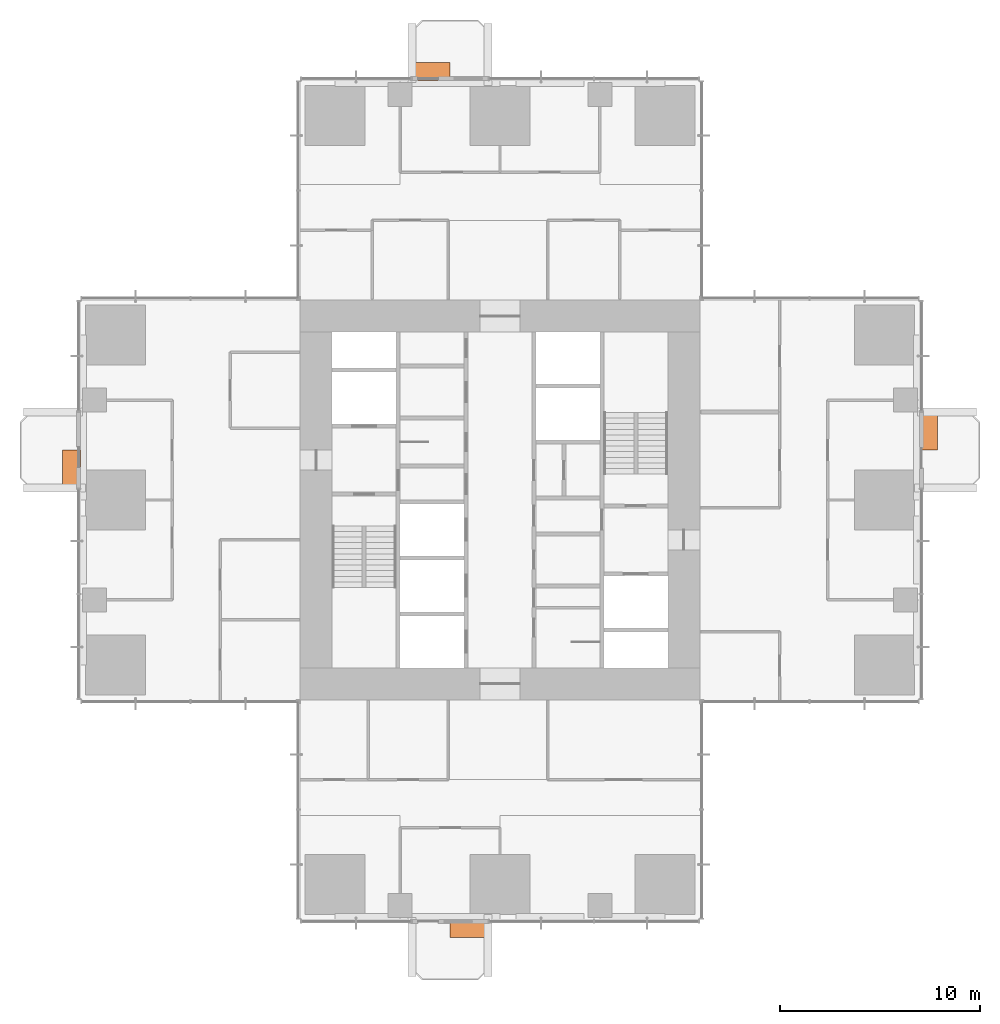
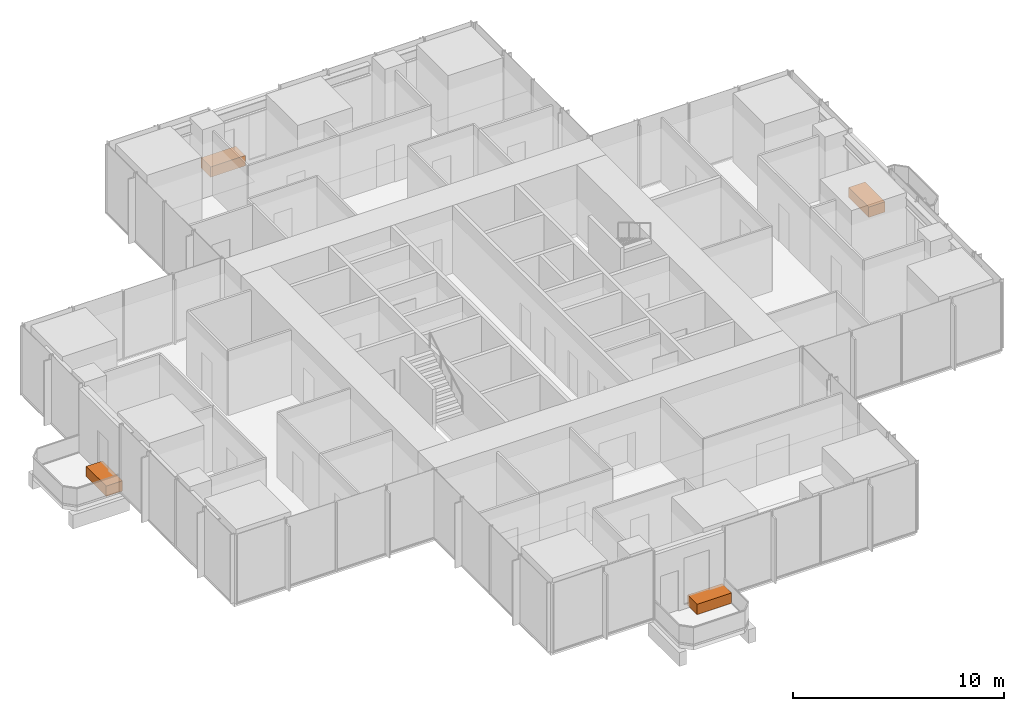
# One storey, part 14 of 14: 4 proxies.
"""IFC4 building model written with IfcOpenShell, lengths in metres."""

from ifc_helpers import new_model, si_unit, direction, frame, origin, origin_2d, place, context, subcontext, project, spatial, rectangle, extrude, element, save


model = new_model("IFC4")

# Units and contexts
model_context = context("Model", 3, precision=1e-05, world=origin(), true_north=direction((0.0, 1.0)))
body_context = subcontext(model_context, "Body", "Model", "MODEL_VIEW")
ifc_project = project(units=[si_unit("LENGTHUNIT", "METRE"), si_unit("AREAUNIT", "SQUARE_METRE"), si_unit("VOLUMEUNIT", "CUBIC_METRE"), si_unit("PLANEANGLEUNIT", "RADIAN"), si_unit("MASSUNIT", "GRAM", prefix="KILO")], contexts=[model_context])

# Site, building, storey
site_placement = place(None, origin())
site = spatial("IfcSite", under=ifc_project, at=site_placement, CompositionType="ELEMENT")
building_placement = place(site_placement, origin())
building = spatial("IfcBuilding", under=site, at=building_placement, Name="Svetlomir Tower", CompositionType="ELEMENT")
storey_placement = place(building_placement, frame((0.0, 0.0, 108.5)))
storey = spatial("IfcBuildingStorey", under=building, at=storey_placement, Name="L25", CompositionType="ELEMENT", Elevation=108.5)

# Proxies
proxy_1_placement = place(storey_placement, frame((19.449951171875, -0.449951171875, 0.0400390625), z_axis=(0.0, 0.0, 1.0), x_axis=(1.0, 0.0, 0.0)))
element("IfcBuildingElementProxy", 1, at=proxy_1_placement, inside=storey, Name="Tree planter S L25", ObjectType="PLANTER", PredefinedType="USERDEFINED", context=body_context, shape_type="SweptSolid", body=[
    extrude(rectangle(XDim=1.89990234375, YDim=0.89990234375, at=origin_2d()), origin(), (0.0, 0.0, 1.0), 0.60009765625),
])
proxy_2_placement = place(storey_placement, frame((42.449951171875, 24.449951171875, 0.0400390625), z_axis=(0.0, 0.0, 1.0), x_axis=(1.0, 0.0, 0.0)))
element("IfcBuildingElementProxy", 2, at=proxy_2_placement, inside=storey, Name="Tree planter E L25", ObjectType="PLANTER", PredefinedType="USERDEFINED", context=body_context, shape_type="SweptSolid", body=[
    extrude(rectangle(XDim=0.89990234375, YDim=1.89990234375, at=origin_2d()), origin(), (0.0, 0.0, 1.0), 0.60009765625),
])
proxy_3_placement = place(storey_placement, frame((17.550048828125, 42.449951171875, 0.0400390625), z_axis=(0.0, 0.0, 1.0), x_axis=(1.0, 0.0, 0.0)))
element("IfcBuildingElementProxy", 3, at=proxy_3_placement, inside=storey, Name="Tree planter N L25", ObjectType="PLANTER", PredefinedType="USERDEFINED", context=body_context, shape_type="SweptSolid", body=[
    extrude(rectangle(XDim=1.89990234375, YDim=0.89990234375, at=origin_2d()), origin(), (0.0, 0.0, 1.0), 0.60009765625),
])
proxy_4_placement = place(storey_placement, frame((-0.449951171875, 22.550048828125, 0.0400390625), z_axis=(0.0, 0.0, 1.0), x_axis=(1.0, 0.0, 0.0)))
element("IfcBuildingElementProxy", 4, at=proxy_4_placement, inside=storey, Name="Tree planter W L25", ObjectType="PLANTER", PredefinedType="USERDEFINED", context=body_context, shape_type="SweptSolid", body=[
    extrude(rectangle(XDim=0.89990234375, YDim=1.89990234375, at=origin_2d()), origin(), (0.0, 0.0, 1.0), 0.60009765625),
])

save(model, "model.ifc")
